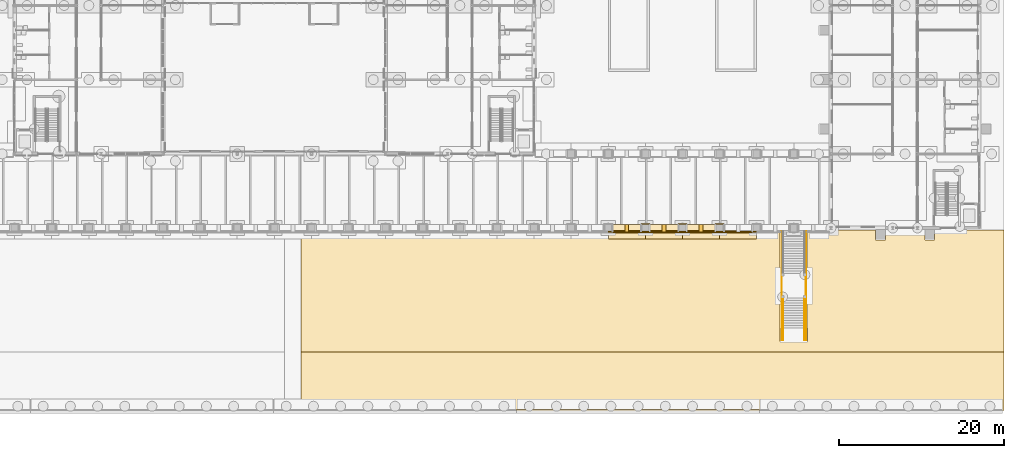
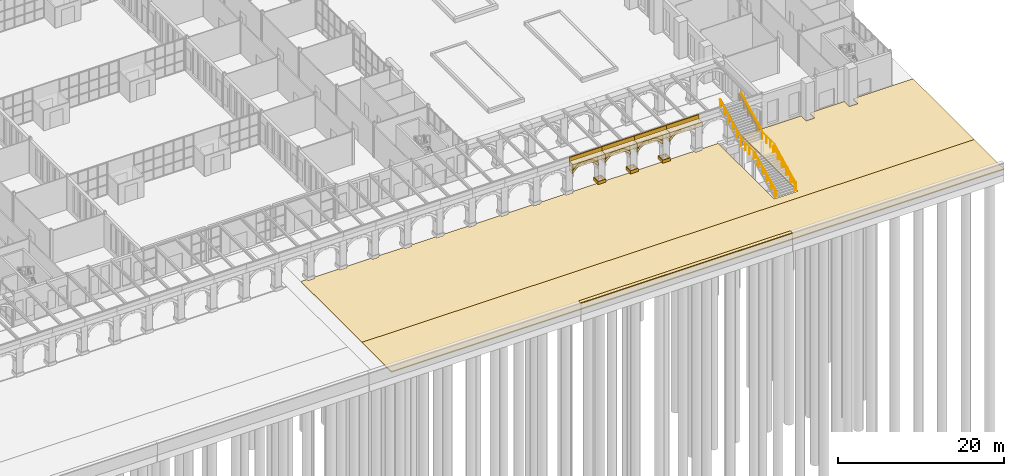
# One storey, part 149 of 168: 30 coverings, 4 railings.
"""IFC4 building model written with IfcOpenShell, lengths in metres."""

from ifc_helpers import new_model, si_unit, direction, frame, origin, origin_2d, place, context, subcontext, project, spatial, polyline, rectangle, circle, outline, extrude, material, layer, layer_set, material_profile, profile_set, type_object, element, save


model = new_model("IFC4")

# Units and contexts
model_context = context("Model", 3, precision=1e-05, world=origin(), true_north=direction((0.0, 1.0)))
body_context = subcontext(model_context, "Body", "Model", "MODEL_VIEW")
ifc_project = project(units=[si_unit("LENGTHUNIT", "METRE"), si_unit("AREAUNIT", "SQUARE_METRE"), si_unit("VOLUMEUNIT", "CUBIC_METRE"), si_unit("PLANEANGLEUNIT", "RADIAN"), si_unit("MASSUNIT", "GRAM", prefix="KILO")], contexts=[model_context])

# Site, building, storey
site_placement = place(None, origin())
site = spatial("IfcSite", under=ifc_project, at=site_placement, CompositionType="ELEMENT")
building_placement = place(site_placement, origin())
building = spatial("IfcBuilding", under=site, at=building_placement, Name="Golden Quay Civic Hall", CompositionType="ELEMENT")
storey_placement = place(building_placement, origin())
storey = spatial("IfcBuildingStorey", under=building, at=storey_placement, Name="L00", CompositionType="ELEMENT", Elevation=0.0)

# Coverings
ifc_material_1 = material(Name="Brick, dark clay facing", Category="masonry")
ifc_layer_1 = layer(ifc_material_1, 0.75)
ifc_layer_set_1 = layer_set([ifc_layer_1], Name="Brick arch spandrel infill 750")
covering_type_1 = type_object("IfcCoveringType", Name="Brick arch spandrel infill 750", PredefinedType="CLADDING", material=ifc_layer_set_1)
covering_1_placement = place(storey_placement, frame((126.449951171875, -9.300048828125, 3.17578125), z_axis=(0.0, -1.0, 0.0), x_axis=(0.707106781187, 0.0, 0.707106781187)))
element("IfcCovering", 1, at=covering_1_placement, inside=storey, type_object=covering_type_1, Name="Arch spandrel outer bay 25 left", PredefinedType="CLADDING", context=body_context, shape_type="SweptSolid", body=[
    extrude(outline(polyline([(0.0, 0.0), (0.0006905339660024879, 0.0), (0.35182705567826755, 0.004143203796014933), (0.6755148522419337, -0.02468658928458889), (0.9739981590465092, -0.08528094480130727), (1.2481401435494968, -0.17608616133063437), (1.4988039732084, -0.29589380443206603), (1.7083810318901549, -0.4322742627175573), (1.760861613306344, -0.46645569403468046), (1.767249052491867, -0.4600682548491575), (0.6535903988213547, 0.6535903988213547), (0.0, 0.0)])), origin(), (0.0, 0.0, -1.0), 0.75),
])
covering_2_placement = place(storey_placement, frame((128.47509765625, -9.300048828125, 4.091064453125), z_axis=(0.0, -1.0, 0.0), x_axis=(0.97842552974, 0.0, -0.206599813053)))
element("IfcCovering", 2, at=covering_2_placement, inside=storey, type_object=covering_type_1, Name="Arch spandrel outer bay 25 right", PredefinedType="CLADDING", context=body_context, shape_type="SweptSolid", body=[
    extrude(outline(polyline([(0.0, 0.0), (0.06263051710363293, 1.734723475976807e-18), (0.31267483867747137, -0.0001008788149670925), (0.5881025541456739, -0.03651242089648961), (0.8673750848258303, -0.11003975339043703), (1.1505561937424948, -0.22216655622637274), (1.4375212099073598, -0.3746658221616902), (1.7294911476562997, -0.5697749671774053), (1.7300697733119603, -0.5701518352031314), (1.539106176579233, 0.3342229342292182), (-0.0018662580768914177, 0.008838316552825392), (0.0, 0.0)])), origin(), (0.0, 0.0, -1.0), 0.75),
])
covering_3_placement = place(storey_placement, frame((130.949951171875, -9.300048828125, 3.17578125), z_axis=(0.0, -1.0, 0.0), x_axis=(0.707106781187, 0.0, 0.707106781187)))
element("IfcCovering", 3, at=covering_3_placement, inside=storey, type_object=covering_type_1, Name="Arch spandrel outer bay 26 left", PredefinedType="CLADDING", context=body_context, shape_type="SweptSolid", body=[
    extrude(outline(polyline([(0.0, 0.0), (0.0006905339660024879, 0.0), (0.35182705567826755, 0.004143203796014933), (0.6755148522419337, -0.02468658928458889), (0.9739981590465092, -0.08528094480130727), (1.2481401435494968, -0.17608616133063437), (1.4988039732084, -0.29589380443206603), (1.7083810318901549, -0.4322742627175573), (1.760861613306344, -0.46645569403468046), (1.767249052491867, -0.4600682548491575), (0.6535903988213547, 0.6535903988213547), (0.0, 0.0)])), origin(), (0.0, 0.0, -1.0), 0.75),
])
covering_4_placement = place(storey_placement, frame((132.97509765625, -9.300048828125, 4.091064453125), z_axis=(0.0, -1.0, 0.0), x_axis=(0.97842552974, 0.0, -0.206599813053)))
element("IfcCovering", 4, at=covering_4_placement, inside=storey, type_object=covering_type_1, Name="Arch spandrel outer bay 26 right", PredefinedType="CLADDING", context=body_context, shape_type="SweptSolid", body=[
    extrude(outline(polyline([(0.0, 0.0), (0.06263051710363293, 1.734723475976807e-18), (0.31267483867747137, -0.0001008788149670925), (0.5881025541456739, -0.03651242089648961), (0.8673750848258303, -0.11003975339043703), (1.1505561937424948, -0.22216655622637274), (1.4375212099073598, -0.3746658221616902), (1.7294911476562997, -0.5697749671774053), (1.7300697733119603, -0.5701518352031314), (1.539106176579233, 0.3342229342292182), (-0.0018662580768914177, 0.008838316552825392), (0.0, 0.0)])), origin(), (0.0, 0.0, -1.0), 0.75),
])
covering_5_placement = place(storey_placement, frame((135.449951171875, -9.300048828125, 3.17578125), z_axis=(0.0, -1.0, 0.0), x_axis=(0.707106781187, 0.0, 0.707106781187)))
element("IfcCovering", 5, at=covering_5_placement, inside=storey, type_object=covering_type_1, Name="Arch spandrel outer bay 27 left", PredefinedType="CLADDING", context=body_context, shape_type="SweptSolid", body=[
    extrude(outline(polyline([(0.0, 0.0), (0.0006905339660024879, 0.0), (0.35182705567826755, 0.004143203796014933), (0.6755148522419337, -0.02468658928458889), (0.9739981590465092, -0.08528094480130727), (1.2481401435494968, -0.17608616133063437), (1.4988039732084, -0.29589380443206603), (1.7083810318901549, -0.4322742627175573), (1.760861613306344, -0.46645569403468046), (1.767249052491867, -0.4600682548491575), (0.6535903988213547, 0.6535903988213547), (0.0, 0.0)])), origin(), (0.0, 0.0, -1.0), 0.75),
])
covering_6_placement = place(storey_placement, frame((137.47509765625, -9.300048828125, 4.091064453125), z_axis=(0.0, -1.0, 0.0), x_axis=(0.97842552974, 0.0, -0.206599813053)))
element("IfcCovering", 6, at=covering_6_placement, inside=storey, type_object=covering_type_1, Name="Arch spandrel outer bay 27 right", PredefinedType="CLADDING", context=body_context, shape_type="SweptSolid", body=[
    extrude(outline(polyline([(0.0, 0.0), (0.06263051710363293, 1.734723475976807e-18), (0.31267483867747137, -0.0001008788149670925), (0.5881025541456739, -0.03651242089648961), (0.8673750848258303, -0.11003975339043703), (1.1505561937424948, -0.22216655622637274), (1.4375212099073598, -0.3746658221616902), (1.7294911476562997, -0.5697749671774053), (1.7300697733119603, -0.5701518352031314), (1.539106176579233, 0.3342229342292182), (-0.0018662580768914177, 0.008838316552825392), (0.0, 0.0)])), origin(), (0.0, 0.0, -1.0), 0.75),
])
ifc_material_2 = material(Name="Granite paving", Category="masonry")
ifc_layer_2 = layer(ifc_material_2, 0.14990234375)
ifc_layer_set_2 = layer_set([ifc_layer_2], Name="Granite paving 150")
covering_type_2 = type_object("IfcCoveringType", Name="Granite paving 150", PredefinedType="FLOORING", material=ifc_layer_set_2)
covering_7_placement = place(storey_placement, frame((0.0, 0.0, -0.14990234375)))
element("IfcCovering", 7, at=covering_7_placement, inside=storey, type_object=covering_type_2, Name="Harbour promenade paving", PredefinedType="FLOORING", context=body_context, shape_type="SweptSolid", body=[
    extrude(outline(polyline([(174.0, -31.10009765625), (88.75, -31.10009765625), (88.75, -24.0), (174.0, -24.0), (174.0, -31.10009765625)])), origin(), (0.0, 0.0, 1.0), 0.14990234375),
])
covering_8_placement = place(storey_placement, frame((0.0, 0.0, -0.14990234375)))
element("IfcCovering", 8, at=covering_8_placement, inside=storey, type_object=covering_type_2, Name="Civic square paving", PredefinedType="FLOORING", context=body_context, shape_type="SweptSolid", body=[
    extrude(outline(polyline([(174.0, -24.0), (88.75, -24.0), (88.75, -9.25), (89.5, -9.25), (89.5, -9.5), (90.5, -9.5), (90.5, -9.25), (94.0, -9.25), (94.0, -9.5), (95.0, -9.5), (95.0, -9.25), (98.5, -9.25), (98.5, -9.5), (99.5, -9.5), (99.5, -9.25), (103.0, -9.25), (103.0, -9.5), (104.0, -9.5), (104.0, -9.25), (107.5, -9.25), (107.5, -9.5), (108.5, -9.5), (108.5, -9.25), (112.0, -9.25), (112.0, -9.5), (113.0, -9.5), (113.0, -9.25), (116.5, -9.25), (116.5, -9.5), (117.5, -9.5), (117.5, -9.25), (121.0, -9.25), (121.0, -9.5), (122.0, -9.5), (122.0, -9.25), (125.5, -9.25), (125.5, -9.5), (126.5, -9.5), (126.5, -9.25), (130.0, -9.25), (130.0, -9.5), (131.0, -9.5), (131.0, -9.25), (134.5, -9.25), (134.5, -9.5), (135.5, -9.5), (135.5, -9.25), (139.0, -9.25), (139.0, -9.5), (140.0, -9.5), (140.0, -9.25), (143.5, -9.25), (143.5, -9.5), (144.5, -9.5), (144.5, -9.25), (146.85009765625, -9.25), (146.85009765625, -14.35009765625), (146.85009765625, -14.64990234375), (146.85009765625, -17.050048828125), (146.85009765625, -17.64990234375), (146.85009765625, -22.75), (150.14990234375, -22.75), (150.14990234375, -17.64990234375), (150.14990234375, -17.050048828125), (150.14990234375, -14.64990234375), (150.14990234375, -14.35009765625), (150.14990234375, -9.25), (152.75, -9.25), (153.009033203125, -9.25), (158.39990234375, -9.25), (158.39990234375, -10.449951171875), (159.60009765625, -10.449951171875), (159.60009765625, -9.25), (160.490966796875, -9.25), (160.509033203125, -9.25), (163.490966796875, -9.25), (163.509033203125, -9.25), (164.39990234375, -9.25), (164.39990234375, -10.449951171875), (165.60009765625, -10.449951171875), (165.60009765625, -9.25), (170.990966796875, -9.25), (171.25, -9.25), (174.0, -9.25), (174.0, -24.0)])), origin(), (0.0, 0.0, 1.0), 0.14990234375),
])
ifc_material_3 = material(Name="Granite", Category="masonry")
ifc_layer_3 = layer(ifc_material_3, 0.10009765625)
ifc_layer_set_3 = layer_set([ifc_layer_3], Name="Granite wall coping 500 x 100")
covering_type_3 = type_object("IfcCoveringType", Name="Granite wall coping 500 x 100", PredefinedType="CLADDING", material=ifc_layer_set_3)
covering_9_placement = place(storey_placement, frame((0.0, 0.0, 1.10009765625)))
element("IfcCovering", 9, at=covering_9_placement, inside=storey, type_object=covering_type_3, Name="Quay wall coping run 5", PredefinedType="CLADDING", context=body_context, shape_type="SweptSolid", body=[
    extrude(outline(polyline([(114.8798828125, -31.5), (144.360107421875, -31.5), (144.360107421875, -31.0), (114.8798828125, -31.0), (114.8798828125, -31.5)])), origin(), (0.0, 0.0, 1.0), 0.099853515625),
])

# Railings
ifc_material_4 = material(Name="Stainless steel", Category="steel")
railing_type_1 = type_object("IfcRailingType", Name="Stainless steel guard 1100", PredefinedType="GUARDRAIL", material=ifc_material_4)
railing_1_placement = place(storey_placement, frame((147.0400390625, -22.60009765625, 0.14990234375)))
element("IfcRailing", 10, at=railing_1_placement, inside=storey, type_object=railing_type_1, Name="Stair guard east", PredefinedType="GUARDRAIL", context=body_context, shape_type="SweptSolid", body=[
    extrude(circle(Radius=0.02490234375, at=origin_2d()), frame((0.0, 0.0, 1.0751953125), z_axis=(0.0, 0.894427191, 0.4472135955), x_axis=(-1.0, 0.0, 0.0)), (0.0, 0.0, 1.0), 5.7021484375),
    extrude(circle(Radius=0.02490234375, at=origin_2d()), frame((0.0, 5.10009765625, 3.625), z_axis=(0.0, 1.0, 0.0), x_axis=(-1.0, 0.0, 0.0)), (0.0, 0.0, 1.0), 3.0),
    extrude(circle(Radius=0.02490234375, at=origin_2d()), frame((0.0, 8.10009765625, 3.625), z_axis=(0.0, 0.0, 1.0), x_axis=(1.0, 0.0, 0.0)), (0.0, 0.0, 1.0), 0.150146484375),
    extrude(circle(Radius=0.02490234375, at=origin_2d()), frame((0.0, 8.10009765625, 3.775390625), z_axis=(0.0, 0.89444431709, 0.44717934168), x_axis=(-1.0, 0.0, 0.0)), (0.0, 0.0, 1.0), 5.701904296875),
    extrude(circle(Radius=0.02001953125, at=origin_2d()), origin(), (0.0, 0.0, 1.0), 1.050048828125),
    extrude(circle(Radius=0.02001953125, at=origin_2d()), frame((0.0, 1.02001953125, 0.510009765625)), (0.0, 0.0, 1.0), 1.050048828125),
    extrude(circle(Radius=0.02001953125, at=origin_2d()), frame((0.0, 2.0400390625, 1.02001953125)), (0.0, 0.0, 1.0), 1.050048828125),
    extrude(circle(Radius=0.02001953125, at=origin_2d()), frame((0.0, 3.06005859375, 1.530029296875)), (0.0, 0.0, 1.0), 1.050048828125),
    extrude(circle(Radius=0.02001953125, at=origin_2d()), frame((0.0, 4.080078125, 2.0400390625)), (0.0, 0.0, 1.0), 1.050048828125),
    extrude(circle(Radius=0.02001953125, at=origin_2d()), frame((0.0, 5.10009765625, 2.550048828125)), (0.0, 0.0, 1.0), 1.050048828125),
    extrude(circle(Radius=0.02001953125, at=origin_2d()), frame((0.0, 6.10009765625, 2.550048828125)), (0.0, 0.0, 1.0), 1.050048828125),
    extrude(circle(Radius=0.02001953125, at=origin_2d()), frame((0.0, 7.10009765625, 2.550048828125)), (0.0, 0.0, 1.0), 1.050048828125),
    extrude(circle(Radius=0.02001953125, at=origin_2d()), frame((0.0, 8.10009765625, 2.550048828125)), (0.0, 0.0, 1.0), 1.050048828125),
    extrude(circle(Radius=0.02001953125, at=origin_2d()), frame((0.0, 8.10009765625, 2.7001953125)), (0.0, 0.0, 1.0), 1.050048828125),
    extrude(circle(Radius=0.02001953125, at=origin_2d()), frame((0.0, 9.1201171875, 3.210205078125)), (0.0, 0.0, 1.0), 1.050048828125),
    extrude(circle(Radius=0.02001953125, at=origin_2d()), frame((0.0, 10.14013671875, 3.72021484375)), (0.0, 0.0, 1.0), 1.050048828125),
    extrude(circle(Radius=0.02001953125, at=origin_2d()), frame((0.0, 11.16015625, 4.22998046875)), (0.0, 0.0, 1.0), 1.050048828125),
    extrude(circle(Radius=0.02001953125, at=origin_2d()), frame((0.0, 12.18017578125, 4.739990234375)), (0.0, 0.0, 1.0), 1.050048828125),
    extrude(circle(Radius=0.02001953125, at=origin_2d()), frame((0.0, 13.2001953125, 5.25)), (0.0, 0.0, 1.0), 1.050048828125),
])
railing_2_placement = place(storey_placement, frame((149.9599609375, -22.60009765625, 0.14990234375)))
element("IfcRailing", 11, at=railing_2_placement, inside=storey, type_object=railing_type_1, Name="Stair guard east", PredefinedType="GUARDRAIL", context=body_context, shape_type="SweptSolid", body=[
    extrude(circle(Radius=0.02490234375, at=origin_2d()), frame((0.0, 0.0, 1.0751953125), z_axis=(0.0, 0.894427191, 0.4472135955), x_axis=(-1.0, 0.0, 0.0)), (0.0, 0.0, 1.0), 5.7021484375),
    extrude(circle(Radius=0.02490234375, at=origin_2d()), frame((0.0, 5.10009765625, 3.625), z_axis=(0.0, 1.0, 0.0), x_axis=(-1.0, 0.0, 0.0)), (0.0, 0.0, 1.0), 3.0),
    extrude(circle(Radius=0.02490234375, at=origin_2d()), frame((0.0, 8.10009765625, 3.625), z_axis=(0.0, 0.0, 1.0), x_axis=(1.0, 0.0, 0.0)), (0.0, 0.0, 1.0), 0.150146484375),
    extrude(circle(Radius=0.02490234375, at=origin_2d()), frame((0.0, 8.10009765625, 3.775390625), z_axis=(0.0, 0.89444431709, 0.44717934168), x_axis=(-1.0, 0.0, 0.0)), (0.0, 0.0, 1.0), 5.701904296875),
    extrude(circle(Radius=0.02001953125, at=origin_2d()), origin(), (0.0, 0.0, 1.0), 1.050048828125),
    extrude(circle(Radius=0.02001953125, at=origin_2d()), frame((0.0, 1.02001953125, 0.510009765625)), (0.0, 0.0, 1.0), 1.050048828125),
    extrude(circle(Radius=0.02001953125, at=origin_2d()), frame((0.0, 2.0400390625, 1.02001953125)), (0.0, 0.0, 1.0), 1.050048828125),
    extrude(circle(Radius=0.02001953125, at=origin_2d()), frame((0.0, 3.06005859375, 1.530029296875)), (0.0, 0.0, 1.0), 1.050048828125),
    extrude(circle(Radius=0.02001953125, at=origin_2d()), frame((0.0, 4.080078125, 2.0400390625)), (0.0, 0.0, 1.0), 1.050048828125),
    extrude(circle(Radius=0.02001953125, at=origin_2d()), frame((0.0, 5.10009765625, 2.550048828125)), (0.0, 0.0, 1.0), 1.050048828125),
    extrude(circle(Radius=0.02001953125, at=origin_2d()), frame((0.0, 6.10009765625, 2.550048828125)), (0.0, 0.0, 1.0), 1.050048828125),
    extrude(circle(Radius=0.02001953125, at=origin_2d()), frame((0.0, 7.10009765625, 2.550048828125)), (0.0, 0.0, 1.0), 1.050048828125),
    extrude(circle(Radius=0.02001953125, at=origin_2d()), frame((0.0, 8.10009765625, 2.550048828125)), (0.0, 0.0, 1.0), 1.050048828125),
    extrude(circle(Radius=0.02001953125, at=origin_2d()), frame((0.0, 8.10009765625, 2.7001953125)), (0.0, 0.0, 1.0), 1.050048828125),
    extrude(circle(Radius=0.02001953125, at=origin_2d()), frame((0.0, 9.1201171875, 3.210205078125)), (0.0, 0.0, 1.0), 1.050048828125),
    extrude(circle(Radius=0.02001953125, at=origin_2d()), frame((0.0, 10.14013671875, 3.72021484375)), (0.0, 0.0, 1.0), 1.050048828125),
    extrude(circle(Radius=0.02001953125, at=origin_2d()), frame((0.0, 11.16015625, 4.22998046875)), (0.0, 0.0, 1.0), 1.050048828125),
    extrude(circle(Radius=0.02001953125, at=origin_2d()), frame((0.0, 12.18017578125, 4.739990234375)), (0.0, 0.0, 1.0), 1.050048828125),
    extrude(circle(Radius=0.02001953125, at=origin_2d()), frame((0.0, 13.2001953125, 5.25)), (0.0, 0.0, 1.0), 1.050048828125),
])
ifc_material_5 = material(Name="Stainless steel", Category="steel")
railing_type_2 = type_object("IfcRailingType", Name="Stainless steel handrail 900", PredefinedType="HANDRAIL", material=ifc_material_5)
for number, where, name in (
    (12, (147.199951171875, -22.60009765625, 0.14990234375), "Stair handrail east"),
    (13, (149.800048828125, -22.60009765625, 0.14990234375), "Stair handrail east"),
):
    element("IfcRailing", number, at=place(storey_placement, frame(where)), inside=storey, type_object=railing_type_2, Name=name, PredefinedType="HANDRAIL", context=body_context, shape_type="SweptSolid", body=[
        extrude(circle(Radius=0.0224609375, at=origin_2d()), frame((0.0, 0.0, 0.87744140625), z_axis=(0.0, 0.894427191, 0.4472135955), x_axis=(-1.0, 0.0, 0.0)), (0.0, 0.0, 1.0), 5.7021484375),
        extrude(circle(Radius=0.02001953125, at=origin_2d()), origin(), (0.0, 0.0, 1.0), 0.85498046875),
        extrude(circle(Radius=0.02001953125, at=origin_2d()), frame((0.0, 1.02001953125, 0.510009765625)), (0.0, 0.0, 1.0), 0.85498046875),
        extrude(circle(Radius=0.02001953125, at=origin_2d()), frame((0.0, 2.0400390625, 1.02001953125)), (0.0, 0.0, 1.0), 0.85498046875),
        extrude(circle(Radius=0.02001953125, at=origin_2d()), frame((0.0, 3.06005859375, 1.530029296875)), (0.0, 0.0, 1.0), 0.85498046875),
        extrude(circle(Radius=0.02001953125, at=origin_2d()), frame((0.0, 4.080078125, 2.0400390625)), (0.0, 0.0, 1.0), 0.85498046875),
        extrude(circle(Radius=0.02001953125, at=origin_2d()), frame((0.0, 5.10009765625, 2.550048828125)), (0.0, 0.0, 1.0), 0.85498046875),
    ])

# Coverings
ifc_material_6 = material(Name="Stone, buff limestone", Category="masonry")
ifc_layer_4 = layer(ifc_material_6, 0.89990234375)
ifc_layer_set_4 = layer_set([ifc_layer_4], Name="Stone arch keystone 450 x 420")
covering_type_4 = type_object("IfcCoveringType", Name="Stone arch keystone 450 x 420", PredefinedType="CLADDING", material=ifc_layer_set_4)
for number, where, z_axis, x_axis, name in (
    (14, (128.02490234375, -9.449951171875, 3.679931640625), (0.0, -1.0, 0.0), (1.0, 0.0, 0.0), "Arch keystone outer bay 25 crown"),
    (15, (132.52490234375, -9.449951171875, 3.679931640625), (0.0, -1.0, 0.0), (1.0, 0.0, 0.0), "Arch keystone outer bay 26 crown"),
    (16, (137.02490234375, -9.449951171875, 3.679931640625), (0.0, -1.0, 0.0), (1.0, 0.0, 0.0), "Arch keystone outer bay 27 crown"),
):
    element("IfcCovering", number, at=place(storey_placement, frame(where, z_axis=z_axis, x_axis=x_axis)), inside=storey, type_object=covering_type_4, Name=name, PredefinedType="CLADDING", context=body_context, shape_type="SweptSolid", body=[
        extrude(outline(polyline([(0.0, 0.0), (0.4501953125, 0.0), (0.4501953125, 0.420166015625), (0.0, 0.420166015625), (0.0, 0.0)])), origin(), (0.0, 0.0, -1.0), 0.89990234375),
    ])
ifc_material_7 = material(Name="Stone, buff limestone", Category="masonry")
ifc_layer_5 = layer(ifc_material_7, 0.89990234375)
ifc_layer_set_5 = layer_set([ifc_layer_5], Name="Stone arch ring 900 x 300")
covering_type_5 = type_object("IfcCoveringType", Name="Stone arch ring 900 x 300", PredefinedType="CLADDING", material=ifc_layer_set_5)
covering_10_placement = place(storey_placement, frame((126.449951171875, -9.449951171875, 2.699951171875), z_axis=(0.0, -1.0, 0.0), x_axis=(0.630180832165, 0.0, 0.776448400585)))
element("IfcCovering", 17, at=covering_10_placement, inside=storey, type_object=covering_type_5, Name="Arch ring outer bay 25 left", PredefinedType="CLADDING", context=body_context, shape_type="SweptSolid", body=[
    extrude(outline(polyline([(0.0, 0.0), (0.3571953394339093, 0.0), (0.6778408073481526, -0.02935016390994566), (0.9656562359875701, -0.08566026756533418), (1.2233312115769217, -0.1664329572349489), (1.452986632547569, -0.2696324374142566), (1.6564467051663616, -0.39440701136103273), (1.8345410995356382, -0.5394544374263122), (2.0726317223713804, -0.3462153931881483), (2.023967866388838, -0.30678937647863513), (1.8296201479431229, -0.14946443483618055), (1.5926919309667726, -0.004373956702034887), (1.3294118430005957, 0.11429790304869314), (1.038796361200025, 0.20543846536483718), (0.7198262528649223, 0.2675916358552039), (0.37014433379061235, 0.2997875748909126), (0.36945750311055836, 0.2998589946020553), (0.0, 0.0)])), origin(), (0.0, 0.0, -1.0), 0.89990234375),
])
covering_11_placement = place(storey_placement, frame((128.47509765625, -9.449951171875, 3.784423828125), z_axis=(0.0, -1.0, 0.0), x_axis=(0.978953882547, 0.0, -0.20408159115)))
element("IfcCovering", 18, at=covering_11_placement, inside=storey, type_object=covering_type_5, Name="Arch ring outer bay 25 right", PredefinedType="CLADDING", context=body_context, shape_type="SweptSolid", body=[
    extrude(outline(polyline([(0.0, 0.0), (0.22968754671057404, 0.0), (0.4662407685933837, -0.031737496286033756), (0.7094806084662527, -0.09674615254891705), (0.9602836680123576, -0.19683833887607075), (1.2190088401055397, -0.33493190882748347), (1.486164491441282, -0.5146617232013373), (1.7631254697749046, -0.7402301762123651), (1.666017310314196, -0.27441447379927847), (1.665439656274305, -0.27403611818824464), (1.3739727106559259, -0.07817636573824266), (1.0874010326963535, 0.07506077076837225), (0.8045093690852512, 0.18791584163726896), (0.5254269523975812, 0.26216151297199447), (0.25009383740278873, 0.29928162385615015), (5.060311670204709e-05, 0.3000258789264141), (-0.06257970666118522, 0.30018703039037287), (0.0, 0.0)])), origin(), (0.0, 0.0, -1.0), 0.89990234375),
])
covering_12_placement = place(storey_placement, frame((130.949951171875, -9.449951171875, 2.699951171875), z_axis=(0.0, -1.0, 0.0), x_axis=(0.630180832165, 0.0, 0.776448400585)))
element("IfcCovering", 19, at=covering_12_placement, inside=storey, type_object=covering_type_5, Name="Arch ring outer bay 26 left", PredefinedType="CLADDING", context=body_context, shape_type="SweptSolid", body=[
    extrude(outline(polyline([(0.0, 0.0), (0.3571953394339093, 0.0), (0.6778408073481526, -0.02935016390994566), (0.9656562359875701, -0.08566026756533418), (1.2233312115769217, -0.1664329572349489), (1.452986632547569, -0.2696324374142566), (1.6564467051663616, -0.39440701136103273), (1.8345410995356382, -0.5394544374263122), (2.0726317223713804, -0.3462153931881483), (2.023967866388838, -0.30678937647863513), (1.8296201479431229, -0.14946443483618055), (1.5926919309667726, -0.004373956702034887), (1.3294118430005957, 0.11429790304869314), (1.038796361200025, 0.20543846536483718), (0.7198262528649223, 0.2675916358552039), (0.37014433379061235, 0.2997875748909126), (0.36945750311055836, 0.2998589946020553), (0.0, 0.0)])), origin(), (0.0, 0.0, -1.0), 0.89990234375),
])
covering_13_placement = place(storey_placement, frame((132.97509765625, -9.449951171875, 3.784423828125), z_axis=(0.0, -1.0, 0.0), x_axis=(0.978953882547, 0.0, -0.20408159115)))
element("IfcCovering", 20, at=covering_13_placement, inside=storey, type_object=covering_type_5, Name="Arch ring outer bay 26 right", PredefinedType="CLADDING", context=body_context, shape_type="SweptSolid", body=[
    extrude(outline(polyline([(0.0, 0.0), (0.22968754671057404, 0.0), (0.4662407685933837, -0.031737496286033756), (0.7094806084662527, -0.09674615254891705), (0.9602836680123576, -0.19683833887607075), (1.2190088401055397, -0.33493190882748347), (1.486164491441282, -0.5146617232013373), (1.7631254697749046, -0.7402301762123651), (1.666017310314196, -0.27441447379927847), (1.665439656274305, -0.27403611818824464), (1.3739727106559259, -0.07817636573824266), (1.0874010326963535, 0.07506077076837225), (0.8045093690852512, 0.18791584163726896), (0.5254269523975812, 0.26216151297199447), (0.25009383740278873, 0.29928162385615015), (5.060311670204709e-05, 0.3000258789264141), (-0.06257970666118522, 0.30018703039037287), (0.0, 0.0)])), origin(), (0.0, 0.0, -1.0), 0.89990234375),
])
covering_14_placement = place(storey_placement, frame((135.449951171875, -9.449951171875, 2.699951171875), z_axis=(0.0, -1.0, 0.0), x_axis=(0.630180832165, 0.0, 0.776448400585)))
element("IfcCovering", 21, at=covering_14_placement, inside=storey, type_object=covering_type_5, Name="Arch ring outer bay 27 left", PredefinedType="CLADDING", context=body_context, shape_type="SweptSolid", body=[
    extrude(outline(polyline([(0.0, 0.0), (0.3571953394339093, 0.0), (0.6778408073481526, -0.02935016390994566), (0.9656562359875701, -0.08566026756533418), (1.2233312115769217, -0.1664329572349489), (1.452986632547569, -0.2696324374142566), (1.6564467051663616, -0.39440701136103273), (1.8345410995356382, -0.5394544374263122), (2.0726317223713804, -0.3462153931881483), (2.023967866388838, -0.30678937647863513), (1.8296201479431229, -0.14946443483618055), (1.5926919309667726, -0.004373956702034887), (1.3294118430005957, 0.11429790304869314), (1.038796361200025, 0.20543846536483718), (0.7198262528649223, 0.2675916358552039), (0.37014433379061235, 0.2997875748909126), (0.36945750311055836, 0.2998589946020553), (0.0, 0.0)])), origin(), (0.0, 0.0, -1.0), 0.89990234375),
])
covering_15_placement = place(storey_placement, frame((137.47509765625, -9.449951171875, 3.784423828125), z_axis=(0.0, -1.0, 0.0), x_axis=(0.978953882547, 0.0, -0.20408159115)))
element("IfcCovering", 22, at=covering_15_placement, inside=storey, type_object=covering_type_5, Name="Arch ring outer bay 27 right", PredefinedType="CLADDING", context=body_context, shape_type="SweptSolid", body=[
    extrude(outline(polyline([(0.0, 0.0), (0.22968754671057404, 0.0), (0.4662407685933837, -0.031737496286033756), (0.7094806084662527, -0.09674615254891705), (0.9602836680123576, -0.19683833887607075), (1.2190088401055397, -0.33493190882748347), (1.486164491441282, -0.5146617232013373), (1.7631254697749046, -0.7402301762123651), (1.666017310314196, -0.27441447379927847), (1.665439656274305, -0.27403611818824464), (1.3739727106559259, -0.07817636573824266), (1.0874010326963535, 0.07506077076837225), (0.8045093690852512, 0.18791584163726896), (0.5254269523975812, 0.26216151297199447), (0.25009383740278873, 0.29928162385615015), (5.060311670204709e-05, 0.3000258789264141), (-0.06257970666118522, 0.30018703039037287), (0.0, 0.0)])), origin(), (0.0, 0.0, -1.0), 0.89990234375),
])
covering_16_placement = place(storey_placement, frame((139.949951171875, -9.449951171875, 2.699951171875), z_axis=(0.0, -1.0, 0.0), x_axis=(0.630180832165, 0.0, 0.776448400585)))
element("IfcCovering", 23, at=covering_16_placement, inside=storey, type_object=covering_type_5, Name="Arch ring outer bay 28 left", PredefinedType="CLADDING", context=body_context, shape_type="SweptSolid", body=[
    extrude(outline(polyline([(0.0, 0.0), (0.3571953394339093, 0.0), (0.6778408073481526, -0.02935016390994566), (0.9656562359875701, -0.08566026756533418), (1.2233312115769217, -0.1664329572349489), (1.452986632547569, -0.2696324374142566), (1.6564467051663616, -0.39440701136103273), (1.8345410995356382, -0.5394544374263122), (2.0726317223713804, -0.3462153931881483), (2.023967866388838, -0.30678937647863513), (1.8296201479431229, -0.14946443483618055), (1.5926919309667726, -0.004373956702034887), (1.3294118430005957, 0.11429790304869314), (1.038796361200025, 0.20543846536483718), (0.7198262528649223, 0.2675916358552039), (0.37014433379061235, 0.2997875748909126), (0.36945750311055836, 0.2998589946020553), (0.0, 0.0)])), origin(), (0.0, 0.0, -1.0), 0.89990234375),
])
ifc_material_8 = material(Name="Stone, buff limestone", Category="masonry")
ifc_material_profile_1 = material_profile(ifc_material_8, rectangle(XDim=0.89990234375, YDim=0.60009765625, at=origin_2d()), Name="RC 900x600")
ifc_profile_set_1 = profile_set([ifc_material_profile_1], Name="Stone, buff limestone")
covering_type_6 = type_object("IfcCoveringType", Name="Stone cornice 900 x 600", PredefinedType="MOLDING", material=ifc_profile_set_1)
for number, where, z_axis, x_axis, name in (
    (24, (126.0, -9.89990234375, 4.5), (1.0, 0.0, 0.0), (0.0, 1.0, 0.0), "Stone cornice outer bay 25"),
    (25, (130.5, -9.89990234375, 4.5), (1.0, 0.0, 0.0), (0.0, 1.0, 0.0), "Stone cornice outer bay 26"),
    (26, (135.0, -9.89990234375, 4.5), (1.0, 0.0, 0.0), (0.0, 1.0, 0.0), "Stone cornice outer bay 27"),
    (27, (139.5, -9.89990234375, 4.5), (1.0, 0.0, 0.0), (0.0, 1.0, 0.0), "Stone cornice outer bay 28"),
):
    element("IfcCovering", number, at=place(storey_placement, frame(where, z_axis=z_axis, x_axis=x_axis)), inside=storey, type_object=covering_type_6, Name=name, PredefinedType="MOLDING", context=body_context, shape_type="SweptSolid", body=[
        extrude(rectangle(XDim=0.89990234375, YDim=0.60009765625, at=origin_2d()), origin(), (0.0, 0.0, 1.0), 4.5),
    ])
ifc_material_9 = material(Name="Stone, buff limestone", Category="masonry")
ifc_layer_6 = layer(ifc_material_9, 0.449951171875)
ifc_layer_set_6 = layer_set([ifc_layer_6], Name="Stone pier plinth 450")
covering_type_7 = type_object("IfcCoveringType", Name="Stone pier plinth 450", PredefinedType="CLADDING", material=ifc_layer_set_6)
covering_17_placement = place(storey_placement, origin())
element("IfcCovering", 28, at=covering_17_placement, inside=storey, type_object=covering_type_7, Name="Pier plinth outer 130.5", PredefinedType="CLADDING", context=body_context, shape_type="SweptSolid", body=[
    extrude(outline(polyline([(129.949951171875, -9.550048828125), (131.050048828125, -9.550048828125), (131.050048828125, -8.449951171875), (129.949951171875, -8.449951171875), (129.949951171875, -9.550048828125)]), holes=[polyline([(130.050048828125, -9.449951171875), (130.949951171875, -9.449951171875), (130.949951171875, -8.550048828125), (130.050048828125, -8.550048828125), (130.050048828125, -9.449951171875)])]), origin(), (0.0, 0.0, 1.0), 0.449951171875),
])
covering_18_placement = place(storey_placement, origin())
element("IfcCovering", 29, at=covering_18_placement, inside=storey, type_object=covering_type_7, Name="Pier plinth outer 135", PredefinedType="CLADDING", context=body_context, shape_type="SweptSolid", body=[
    extrude(outline(polyline([(134.449951171875, -9.550048828125), (135.550048828125, -9.550048828125), (135.550048828125, -8.449951171875), (134.449951171875, -8.449951171875), (134.449951171875, -9.550048828125)]), holes=[polyline([(134.550048828125, -9.449951171875), (135.449951171875, -9.449951171875), (135.449951171875, -8.550048828125), (134.550048828125, -8.550048828125), (134.550048828125, -9.449951171875)])]), origin(), (0.0, 0.0, 1.0), 0.449951171875),
])
covering_19_placement = place(storey_placement, origin())
element("IfcCovering", 30, at=covering_19_placement, inside=storey, type_object=covering_type_7, Name="Pier plinth outer 139.5", PredefinedType="CLADDING", context=body_context, shape_type="SweptSolid", body=[
    extrude(outline(polyline([(138.949951171875, -9.550048828125), (140.050048828125, -9.550048828125), (140.050048828125, -8.449951171875), (138.949951171875, -8.449951171875), (138.949951171875, -9.550048828125)]), holes=[polyline([(139.050048828125, -9.449951171875), (139.949951171875, -9.449951171875), (139.949951171875, -8.550048828125), (139.050048828125, -8.550048828125), (139.050048828125, -9.449951171875)])]), origin(), (0.0, 0.0, 1.0), 0.449951171875),
])
ifc_material_10 = material(Name="Stone, buff limestone", Category="masonry")
ifc_material_profile_2 = material_profile(ifc_material_10, rectangle(XDim=0.14990234375, YDim=0.60009765625, at=origin_2d()), Name="RC 150x600")
ifc_profile_set_2 = profile_set([ifc_material_profile_2], Name="Stone, buff limestone")
covering_type_8 = type_object("IfcCoveringType", Name="Stone terrace fascia 150 x 600", PredefinedType="CLADDING", material=ifc_profile_set_2)
for number, where, z_axis, x_axis, name in (
    (31, (126.0, -9.47509765625, 5.10009765625), (1.0, 0.0, 0.0), (0.0, 1.0, 0.0), "Terrace fascia bay 25"),
    (32, (130.5, -9.47509765625, 5.10009765625), (1.0, 0.0, 0.0), (0.0, 1.0, 0.0), "Terrace fascia bay 26"),
    (33, (135.0, -9.47509765625, 5.10009765625), (1.0, 0.0, 0.0), (0.0, 1.0, 0.0), "Terrace fascia bay 27"),
    (34, (139.5, -9.47509765625, 5.10009765625), (1.0, 0.0, 0.0), (0.0, 1.0, 0.0), "Terrace fascia bay 28"),
):
    element("IfcCovering", number, at=place(storey_placement, frame(where, z_axis=z_axis, x_axis=x_axis)), inside=storey, type_object=covering_type_8, Name=name, PredefinedType="CLADDING", context=body_context, shape_type="SweptSolid", body=[
        extrude(rectangle(XDim=0.14990234375, YDim=0.60009765625, at=origin_2d()), origin(), (0.0, 0.0, 1.0), 4.5),
    ])

save(model, "model.ifc")
